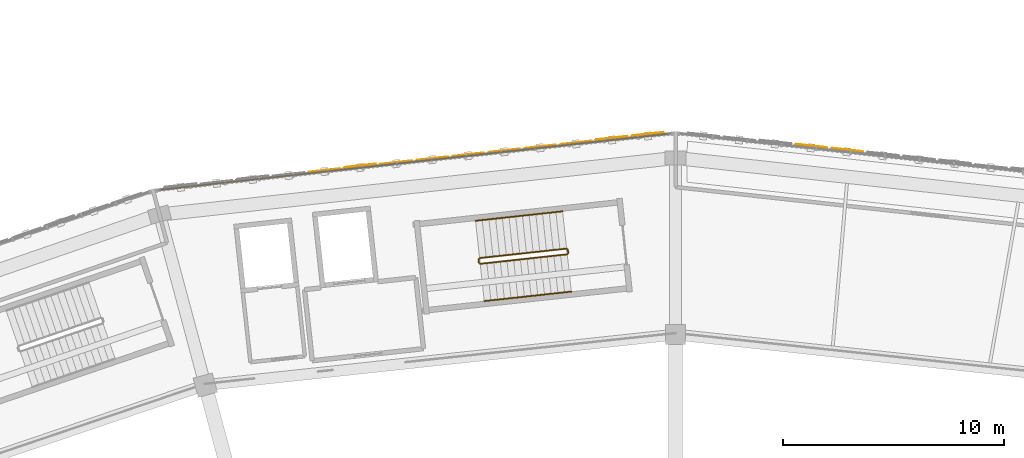
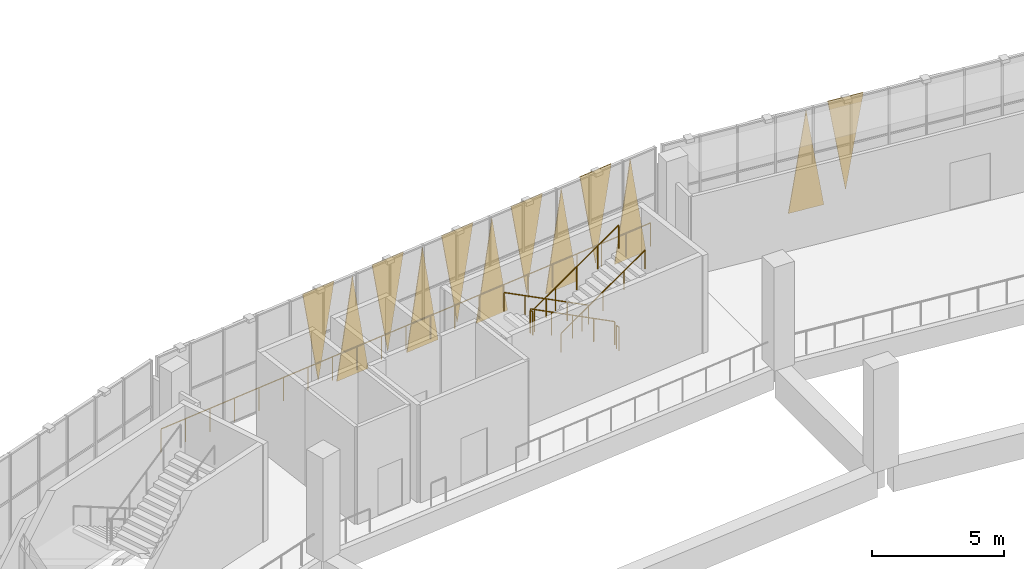
# One storey, part 102 of 108: 12 coverings, 7 railings.
"""IFC4 building model written with IfcOpenShell, lengths in metres."""

from ifc_helpers import new_model, si_unit, direction, frame, origin, origin_2d, place, context, subcontext, project, spatial, polyline, circle, outline, extrude, material, layer, layer_set, type_object, element, save


model = new_model("IFC4")

# Units and contexts
model_context = context("Model", 3, precision=1e-05, world=origin(), true_north=direction((0.0, 1.0)))
body_context = subcontext(model_context, "Body", "Model", "MODEL_VIEW")
ifc_project = project(units=[si_unit("LENGTHUNIT", "METRE"), si_unit("AREAUNIT", "SQUARE_METRE"), si_unit("VOLUMEUNIT", "CUBIC_METRE"), si_unit("PLANEANGLEUNIT", "RADIAN"), si_unit("MASSUNIT", "GRAM", prefix="KILO")], contexts=[model_context])

# Site, building, storey
site_placement = place(None, origin())
site = spatial("IfcSite", under=ifc_project, at=site_placement, CompositionType="ELEMENT")
building_placement = place(site_placement, origin())
building = spatial("IfcBuilding", under=site, at=building_placement, Name="Zevraka Park Crest Stadium", CompositionType="ELEMENT")
storey_placement = place(building_placement, frame((0.0, 0.0, 19.800048828125)))
storey = spatial("IfcBuildingStorey", under=building, at=storey_placement, Name="L04", CompositionType="ELEMENT", Elevation=19.800048828125)

# Coverings
ifc_material_1 = material(Name="Architectural golden-bronze perforated aluminium", Category="aluminium")
ifc_layer = layer(ifc_material_1, 0.034912109375)
ifc_layer_set = layer_set([ifc_layer], Name="Architectural golden-bronze perforated aluminium")
covering_type = type_object("IfcCoveringType", Name="CLD01", PredefinedType="CLADDING", material=ifc_layer_set)
covering_1_placement = place(storey_placement, frame((119.0380859375, 167.72509765625, 4.52001953125), z_axis=(-0.10910690333, -0.994030014736, 0.000115971923), x_axis=(0.994030021421, -0.109106904064, 0.0)))
element("IfcCovering", 1, at=covering_1_placement, inside=storey, type_object=covering_type, Name="Triangular Golden-Bronze Perforated Cladding L04-05-10", PredefinedType="CLADDING", context=body_context, shape_type="SweptSolid", body=[
    extrude(outline(polyline([(0.0, 0.0), (1.4768342469445075, 3.3881317890172014e-21), (0.7383490567724047, -4.300048857041725), (0.0, 0.0)])), origin(), (0.0, 0.0, -1.0), 0.034912109375),
])
covering_2_placement = place(storey_placement, frame((118.8779296875, 167.742919921875, -0.219970703125), z_axis=(-0.109106903417, -0.994030015528, 0.00010888712), x_axis=(-0.994030021421, 0.109106904064, 0.0)))
element("IfcCovering", 2, at=covering_2_placement, inside=storey, type_object=covering_type, Name="Triangular Golden-Bronze Perforated Cladding L04-05-11", PredefinedType="CLADDING", context=body_context, shape_type="SweptSolid", body=[
    extrude(outline(polyline([(0.0, 0.0), (1.4768342469445075, 0.0), (0.7383490567724047, -4.579834011525183), (0.0, 0.0)])), origin(), (0.0, 0.0, -1.0), 0.034912109375),
])
covering_3_placement = place(storey_placement, frame((111.472900390625, 168.44189453125, -0.219970703125), z_axis=(0.109596900843, -0.993976115794, 2.3572131e-05), x_axis=(-0.993976116071, -0.109596900874, 0.0)))
element("IfcCovering", 3, at=covering_3_placement, inside=storey, type_object=covering_type, Name="Triangular Golden-Bronze Perforated Cladding L04-06-1", PredefinedType="CLADDING", context=body_context, shape_type="SweptSolid", body=[
    extrude(outline(polyline([(0.0, 0.0), (1.4769143386748145, 0.0), (0.7383224558343622, -4.579833985647383), (0.0, 0.0)])), origin(), (0.0, 0.0, -1.0), 0.034912109375),
])
covering_4_placement = place(storey_placement, frame((108.376953125, 168.10107421875, 4.52001953125), z_axis=(0.109524916958, -0.993984050279, 1.8889721e-05), x_axis=(0.993984050456, 0.109524916977, 0.0)))
element("IfcCovering", 4, at=covering_4_placement, inside=storey, type_object=covering_type, Name="Triangular Golden-Bronze Perforated Cladding L04-06-2", PredefinedType="CLADDING", context=body_context, shape_type="SweptSolid", body=[
    extrude(outline(polyline([(0.0, 0.0), (1.477885022351149, 0.0), (0.738565133603755, -4.300048828892176), (0.0, 0.0)])), origin(), (0.0, 0.0, -1.0), 0.034912109375),
])
covering_5_placement = place(storey_placement, frame((108.218017578125, 168.083984375, -0.219970703125), z_axis=(-0.109524916909, 0.993984049839, 3.5251314e-05), x_axis=(-0.993984050456, -0.109524916977, 0.0)))
element("IfcCovering", 5, at=covering_5_placement, inside=storey, type_object=covering_type, Name="Triangular Golden-Bronze Perforated Cladding L04-06-3", PredefinedType="CLADDING", context=body_context, shape_type="SweptSolid", body=[
    extrude(outline(polyline([(0.0, 0.0), (1.477885022351149, 0.0), (0.7385918730854389, 4.579833987220578), (0.0, 0.0)])), origin(), (0.0, 0.0, -1.0), 0.034912109375),
])
covering_6_placement = place(storey_placement, frame((105.1220703125, 167.742919921875, 4.52001953125), z_axis=(-0.10910690333, 0.994030014736, 0.000115971923), x_axis=(0.994030021421, 0.109106904064, 0.0)))
element("IfcCovering", 6, at=covering_6_placement, inside=storey, type_object=covering_type, Name="Triangular Golden-Bronze Perforated Cladding L04-06-4", PredefinedType="CLADDING", context=body_context, shape_type="SweptSolid", body=[
    extrude(outline(polyline([(0.0, 0.0), (1.4768342469445075, -3.3881317890172014e-21), (0.7383490567724047, 4.300048857041725), (0.0, 0.0)])), origin(), (0.0, 0.0, -1.0), 0.034912109375),
])
covering_7_placement = place(storey_placement, frame((104.9619140625, 167.72509765625, -0.219970703125), z_axis=(-0.109106903417, 0.994030015528, 0.00010888712), x_axis=(-0.994030021421, -0.109106904064, 0.0)))
element("IfcCovering", 7, at=covering_7_placement, inside=storey, type_object=covering_type, Name="Triangular Golden-Bronze Perforated Cladding L04-06-5", PredefinedType="CLADDING", context=body_context, shape_type="SweptSolid", body=[
    extrude(outline(polyline([(0.0, 0.0), (1.4768342469445075, 0.0), (0.7383490567724047, 4.579834011525183), (0.0, 0.0)])), origin(), (0.0, 0.0, -1.0), 0.034912109375),
])
covering_8_placement = place(storey_placement, frame((101.865966796875, 167.384033203125, 4.52001953125), z_axis=(-0.109524916969, 0.993984050376, 1.2671307e-05), x_axis=(0.993984050456, 0.109524916977, 0.0)))
element("IfcCovering", 8, at=covering_8_placement, inside=storey, type_object=covering_type, Name="Triangular Golden-Bronze Perforated Cladding L04-06-6", PredefinedType="CLADDING", context=body_context, shape_type="SweptSolid", body=[
    extrude(outline(polyline([(0.0, 0.0), (1.477885022351149, 0.0), (0.7395625606347125, 4.300048828470214), (0.0, 0.0)])), origin(), (0.0, 0.0, -1.0), 0.034912109375),
])
covering_9_placement = place(storey_placement, frame((101.70703125, 167.366943359375, -0.219970703125), z_axis=(-0.109596900843, 0.993976115794, 2.3572131e-05), x_axis=(-0.993976116071, -0.109596900874, 0.0)))
element("IfcCovering", 9, at=covering_9_placement, inside=storey, type_object=covering_type, Name="Triangular Golden-Bronze Perforated Cladding L04-06-7", PredefinedType="CLADDING", context=body_context, shape_type="SweptSolid", body=[
    extrude(outline(polyline([(0.0, 0.0), (1.4769143386748145, 0.0), (0.7385918828404522, 4.579833985647383), (0.0, 0.0)])), origin(), (0.0, 0.0, -1.0), 0.034912109375),
])
covering_10_placement = place(storey_placement, frame((98.611083984375, 167.02587890625, 4.52001953125), z_axis=(-0.109760215407, 0.993958095246, 3.115886e-06), x_axis=(0.99395809525, 0.109760215408, 0.0)))
element("IfcCovering", 10, at=covering_10_placement, inside=storey, type_object=covering_type, Name="Triangular Golden-Bronze Perforated Cladding L04-06-8", PredefinedType="CLADDING", context=body_context, shape_type="SweptSolid", body=[
    extrude(outline(polyline([(0.0, 0.0), (1.4769411156667285, 0.0), (0.7383492250580652, 4.300048828145875), (0.0, 0.0)])), origin(), (0.0, 0.0, -1.0), 0.034912109375),
])
covering_11_placement = place(storey_placement, frame((98.451904296875, 167.009033203125, -0.219970703125), z_axis=(0.109688126852, -0.993966053118, 8.77084e-06), x_axis=(-0.993966053156, -0.109688126857, 0.0)))
element("IfcCovering", 11, at=covering_11_placement, inside=storey, type_object=covering_type, Name="Triangular Golden-Bronze Perforated Cladding L04-06-9", PredefinedType="CLADDING", context=body_context, shape_type="SweptSolid", body=[
    extrude(outline(polyline([(0.0, 0.0), (1.477911781756094, 0.0), (0.7393198921182166, -4.579833984551158), (0.0, 0.0)])), origin(), (0.0, 0.0, -1.0), 0.034912109375),
])
covering_12_placement = place(storey_placement, frame((95.35595703125, 166.66796875, 4.52001953125), z_axis=(-0.109106903407, 0.994030015431, 0.000109777243), x_axis=(0.994030021421, 0.109106904064, 0.0)))
element("IfcCovering", 12, at=covering_12_placement, inside=storey, type_object=covering_type, Name="Triangular Golden-Bronze Perforated Cladding L04-06-10", PredefinedType="CLADDING", context=body_context, shape_type="SweptSolid", body=[
    extrude(outline(polyline([(0.0, 0.0), (1.4768342469445075, 0.0), (0.738591739883103, 4.300048854035038), (0.0, 0.0)])), origin(), (0.0, 0.0, -1.0), 0.034912109375),
])

# Railings
ifc_material_2 = material(Name="Galvanised and bronze-finished steel balustrade", Category="steel")
railing_type_1 = type_object("IfcRailingType", Name="GR01", PredefinedType="GUARDRAIL", material=ifc_material_2)
railing_1_placement = place(storey_placement, frame((88.697998046875, 165.864013671875, 0.0)))
element("IfcRailing", 13, at=railing_1_placement, inside=storey, type_object=railing_type_1, Name="Deck Edge Protection Guardrail GR01 L04-6", PredefinedType="GUARDRAIL", context=body_context, shape_type="SweptSolid", body=[
    extrude(circle(Radius=0.02392578125, at=origin_2d()), frame((0.0, 0.0, 1.076171875), z_axis=(0.993993659487, 0.109437675865, 0.0), x_axis=(-0.109437675865, 0.993993659487, 0.0)), (0.0, 0.0, 1.0), 23.08056640625),
    extrude(circle(Radius=0.02099609375, at=origin_2d()), origin(), (0.0, 0.0, 1.0), 1.052001953125),
    extrude(circle(Radius=0.02099609375, at=origin_2d()), frame((1.14697265625, 0.126220703125, 0.0)), (0.0, 0.0, 1.0), 1.052001953125),
    extrude(circle(Radius=0.02099609375, at=origin_2d()), frame((2.294189453125, 0.252685546875, 0.0)), (0.0, 0.0, 1.0), 1.052001953125),
    extrude(circle(Radius=0.02099609375, at=origin_2d()), frame((3.44140625, 0.37890625, 0.0)), (0.0, 0.0, 1.0), 1.052001953125),
    extrude(circle(Radius=0.02099609375, at=origin_2d()), frame((4.58837890625, 0.505126953125, 0.0)), (0.0, 0.0, 1.0), 1.052001953125),
    extrude(circle(Radius=0.02099609375, at=origin_2d()), frame((5.7353515625, 0.63134765625, 0.0)), (0.0, 0.0, 1.0), 1.052001953125),
    extrude(circle(Radius=0.02099609375, at=origin_2d()), frame((6.882568359375, 0.7578125, 0.0)), (0.0, 0.0, 1.0), 1.052001953125),
    extrude(circle(Radius=0.02099609375, at=origin_2d()), frame((8.02978515625, 0.884033203125, 0.0)), (0.0, 0.0, 1.0), 1.052001953125),
    extrude(circle(Radius=0.02099609375, at=origin_2d()), frame((9.1767578125, 1.01025390625, 0.0)), (0.0, 0.0, 1.0), 1.052001953125),
    extrude(circle(Radius=0.02099609375, at=origin_2d()), frame((10.32373046875, 1.13671875, 0.0)), (0.0, 0.0, 1.0), 1.052001953125),
    extrude(circle(Radius=0.02099609375, at=origin_2d()), frame((11.470947265625, 1.262939453125, 0.0)), (0.0, 0.0, 1.0), 1.052001953125),
    extrude(circle(Radius=0.02099609375, at=origin_2d()), frame((12.6181640625, 1.38916015625, 0.0)), (0.0, 0.0, 1.0), 1.052001953125),
    extrude(circle(Radius=0.02099609375, at=origin_2d()), frame((13.76513671875, 1.515625, 0.0)), (0.0, 0.0, 1.0), 1.052001953125),
    extrude(circle(Radius=0.02099609375, at=origin_2d()), frame((14.912109375, 1.641845703125, 0.0)), (0.0, 0.0, 1.0), 1.052001953125),
    extrude(circle(Radius=0.02099609375, at=origin_2d()), frame((16.059326171875, 1.76806640625, 0.0)), (0.0, 0.0, 1.0), 1.052001953125),
    extrude(circle(Radius=0.02099609375, at=origin_2d()), frame((17.20654296875, 1.89453125, 0.0)), (0.0, 0.0, 1.0), 1.052001953125),
    extrude(circle(Radius=0.02099609375, at=origin_2d()), frame((18.353515625, 2.020751953125, 0.0)), (0.0, 0.0, 1.0), 1.052001953125),
    extrude(circle(Radius=0.02099609375, at=origin_2d()), frame((19.50048828125, 2.14697265625, 0.0)), (0.0, 0.0, 1.0), 1.052001953125),
    extrude(circle(Radius=0.02099609375, at=origin_2d()), frame((20.647705078125, 2.273193359375, 0.0)), (0.0, 0.0, 1.0), 1.052001953125),
    extrude(circle(Radius=0.02099609375, at=origin_2d()), frame((21.794921875, 2.399658203125, 0.0)), (0.0, 0.0, 1.0), 1.052001953125),
    extrude(circle(Radius=0.02099609375, at=origin_2d()), frame((22.94189453125, 2.52587890625, 0.0)), (0.0, 0.0, 1.0), 1.052001953125),
])
ifc_material_3 = material(Name="Powder-coated tubular steel stairwell guard", Category="steel")
railing_type_2 = type_object("IfcRailingType", Name="GR03", PredefinedType="GUARDRAIL", material=ifc_material_3)
railing_2_placement = place(storey_placement, frame((107.067138671875, 163.19384765625, 0.17138671875)))
element("IfcRailing", 14, at=railing_2_placement, inside=storey, type_object=railing_type_2, Name="L04 ST07 stair guard 1", PredefinedType="GUARDRAIL", context=body_context, shape_type="SweptSolid", body=[
    extrude(circle(Radius=0.02392578125, at=origin_2d()), frame((0.0, 0.0, 1.076171875), z_axis=(-0.866632504116, -0.094360209478, 0.489943112695), x_axis=(0.108241734952, -0.994124603264, 0.0)), (0.0, 0.0, 1.0), 4.548583984375),
    extrude(circle(Radius=0.02099609375, at=origin_2d()), origin(), (0.0, 0.0, 1.0), 1.052001953125),
    extrude(circle(Radius=0.02099609375, at=origin_2d()), frame((-0.9853515625, -0.107421875, 0.55712890625)), (0.0, 0.0, 1.0), 1.052001953125),
    extrude(circle(Radius=0.02099609375, at=origin_2d()), frame((-1.970947265625, -0.214599609375, 1.1142578125)), (0.0, 0.0, 1.0), 1.052001953125),
    extrude(circle(Radius=0.02099609375, at=origin_2d()), frame((-2.95654296875, -0.32177734375, 1.67138671875)), (0.0, 0.0, 1.0), 1.052001953125),
    extrude(circle(Radius=0.02099609375, at=origin_2d()), frame((-3.94189453125, -0.42919921875, 2.228515625)), (0.0, 0.0, 1.0), 1.052001953125),
])
railing_3_placement = place(storey_placement, frame((103.0810546875, 162.70947265625, 2.39990234375)))
element("IfcRailing", 15, at=railing_3_placement, inside=storey, type_object=railing_type_2, Name="L04 ST07 stair guard 2", PredefinedType="GUARDRAIL", context=body_context, shape_type="SweptSolid", body=[
    extrude(circle(Radius=0.02392578125, at=origin_2d()), frame((0.0, 0.0, 1.076171875), z_axis=(0.108420072245, -0.994105169454, 0.0), x_axis=(0.994105169454, 0.108420072245, 0.0)), (0.0, 0.0, 1.0), 0.159912109375),
    extrude(circle(Radius=0.02099609375, at=origin_2d()), origin(), (0.0, 0.0, 1.0), 1.052001953125),
    extrude(circle(Radius=0.02099609375, at=origin_2d()), frame((0.017333984375, -0.158935546875, 0.0)), (0.0, 0.0, 1.0), 1.052001953125),
])
railing_4_placement = place(storey_placement, frame((103.153564453125, 162.506103515625, 2.5712890625)))
element("IfcRailing", 16, at=railing_4_placement, inside=storey, type_object=railing_type_2, Name="L04 ST07 stair guard 3", PredefinedType="GUARDRAIL", context=body_context, shape_type="SweptSolid", body=[
    extrude(circle(Radius=0.02392578125, at=origin_2d()), frame((0.0, 0.0, 1.076171875), z_axis=(0.866596348506, 0.094362117106, 0.490006693435), x_axis=(-0.108248360745, 0.994123881816, 0.0)), (0.0, 0.0, 1.0), 4.54833984375),
    extrude(circle(Radius=0.02099609375, at=origin_2d()), origin(), (0.0, 0.0, 1.0), 1.052001953125),
    extrude(circle(Radius=0.02099609375, at=origin_2d()), frame((0.9853515625, 0.107421875, 0.55712890625)), (0.0, 0.0, 1.0), 1.052001953125),
    extrude(circle(Radius=0.02099609375, at=origin_2d()), frame((1.970703125, 0.214599609375, 1.1142578125)), (0.0, 0.0, 1.0), 1.052001953125),
    extrude(circle(Radius=0.02099609375, at=origin_2d()), frame((2.956298828125, 0.32177734375, 1.671630859375)), (0.0, 0.0, 1.0), 1.052001953125),
    extrude(circle(Radius=0.02099609375, at=origin_2d()), frame((3.941650390625, 0.42919921875, 2.228759765625)), (0.0, 0.0, 1.0), 1.052001953125),
])
railing_5_placement = place(storey_placement, frame((107.1220703125, 163.1494140625, 0.0)))
element("IfcRailing", 17, at=railing_5_placement, inside=storey, type_object=railing_type_2, Name="L04 ST07 stair guard 4", PredefinedType="GUARDRAIL", context=body_context, shape_type="SweptSolid", body=[
    extrude(circle(Radius=0.02392578125, at=origin_2d()), frame((0.0, 0.0, 1.076171875), z_axis=(0.108420072245, -0.994105169454, 0.0), x_axis=(0.994105169454, 0.108420072245, 0.0)), (0.0, 0.0, 1.0), 0.159912109375),
    extrude(circle(Radius=0.02099609375, at=origin_2d()), origin(), (0.0, 0.0, 1.0), 1.052001953125),
    extrude(circle(Radius=0.02099609375, at=origin_2d()), frame((0.017333984375, -0.158935546875, 0.0)), (0.0, 0.0, 1.0), 1.052001953125),
])
ifc_material_4 = material(Name="Brushed stainless steel continuous handrail", Category="steel")
railing_type_3 = type_object("IfcRailingType", Name="HR01", PredefinedType="HANDRAIL", material=ifc_material_4)
railing_6_placement = place(storey_placement, frame((106.883056640625, 164.8837890625, 0.17138671875)))
element("IfcRailing", 18, at=railing_6_placement, inside=storey, type_object=railing_type_3, Name="L04 ST07 stair handrail 1", PredefinedType="HANDRAIL", context=body_context, shape_type="SweptSolid", body=[
    extrude(circle(Radius=0.02392578125, at=origin_2d()), frame((0.0, 0.0, 0.8759765625), z_axis=(-0.866619140956, -0.094364598935, 0.489965903911), x_axis=(0.108248360745, -0.994123881816, 0.0)), (0.0, 0.0, 1.0), 4.54833984375),
    extrude(circle(Radius=0.02099609375, at=origin_2d()), origin(), (0.0, 0.0, 1.0), 0.851806640625),
    extrude(circle(Radius=0.02099609375, at=origin_2d()), frame((-0.9853515625, -0.107421875, 0.55712890625)), (0.0, 0.0, 1.0), 0.851806640625),
    extrude(circle(Radius=0.02099609375, at=origin_2d()), frame((-1.970703125, -0.214599609375, 1.1142578125)), (0.0, 0.0, 1.0), 0.851806640625),
    extrude(circle(Radius=0.02099609375, at=origin_2d()), frame((-2.956298828125, -0.32177734375, 1.67138671875)), (0.0, 0.0, 1.0), 0.851806640625),
    extrude(circle(Radius=0.02099609375, at=origin_2d()), frame((-3.941650390625, -0.42919921875, 2.228515625)), (0.0, 0.0, 1.0), 0.851806640625),
])
railing_7_placement = place(storey_placement, frame((103.33740234375, 160.816162109375, 2.5712890625)))
element("IfcRailing", 19, at=railing_7_placement, inside=storey, type_object=railing_type_3, Name="L04 ST07 stair handrail 2", PredefinedType="HANDRAIL", context=body_context, shape_type="SweptSolid", body=[
    extrude(circle(Radius=0.02392578125, at=origin_2d()), frame((0.0, 0.0, 0.8759765625), z_axis=(0.866596348506, 0.094362117106, 0.490006693435), x_axis=(-0.108248360745, 0.994123881816, 0.0)), (0.0, 0.0, 1.0), 4.54833984375),
    extrude(circle(Radius=0.02099609375, at=origin_2d()), origin(), (0.0, 0.0, 1.0), 0.851806640625),
    extrude(circle(Radius=0.02099609375, at=origin_2d()), frame((0.9853515625, 0.107421875, 0.55712890625)), (0.0, 0.0, 1.0), 0.851806640625),
    extrude(circle(Radius=0.02099609375, at=origin_2d()), frame((1.970703125, 0.214599609375, 1.1142578125)), (0.0, 0.0, 1.0), 0.851806640625),
    extrude(circle(Radius=0.02099609375, at=origin_2d()), frame((2.956298828125, 0.32177734375, 1.671630859375)), (0.0, 0.0, 1.0), 0.851806640625),
    extrude(circle(Radius=0.02099609375, at=origin_2d()), frame((3.941650390625, 0.42919921875, 2.228759765625)), (0.0, 0.0, 1.0), 0.851806640625),
])

save(model, "model.ifc")
